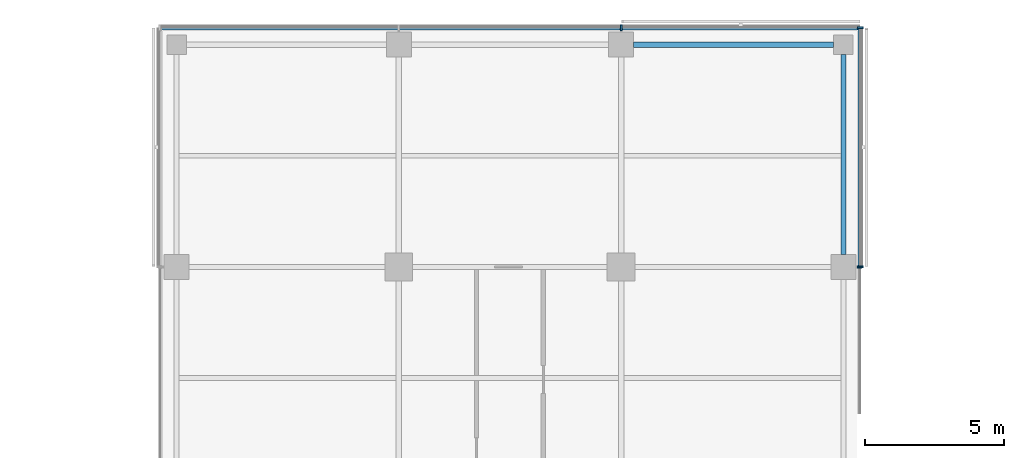
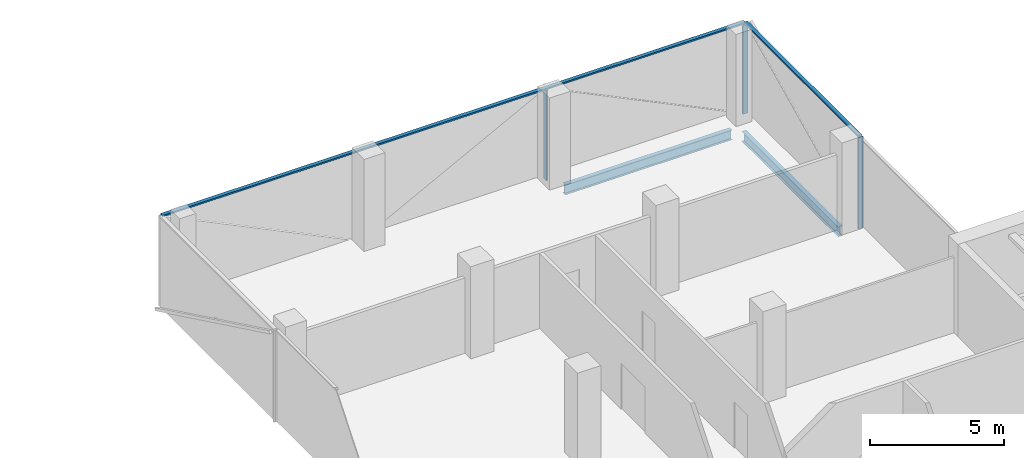
# One storey, part 10 of 22: 6 members, 2 beams, 3 elements without a shape of their own.
"""IFC4 building model written with IfcOpenShell, lengths in metres."""

from ifc_helpers import new_model, si_unit, direction, frame, origin, origin_2d, place, context, subcontext, project, spatial, rectangle, i_section, extrude, material, material_profile, profile_set, type_object, element, aggregate, save


model = new_model("IFC4")

# Units and contexts
model_context = context("Model", 3, precision=1e-05, world=origin(), true_north=direction((0.0, 1.0)))
body_context = subcontext(model_context, "Body", "Model", "MODEL_VIEW")
ifc_project = project(units=[si_unit("LENGTHUNIT", "METRE"), si_unit("AREAUNIT", "SQUARE_METRE"), si_unit("VOLUMEUNIT", "CUBIC_METRE"), si_unit("PLANEANGLEUNIT", "RADIAN"), si_unit("MASSUNIT", "GRAM", prefix="KILO")], contexts=[model_context])

# Site, building, storey
site_placement = place(None, origin())
site = spatial("IfcSite", under=ifc_project, at=site_placement, CompositionType="ELEMENT")
building_placement = place(site_placement, origin())
building = spatial("IfcBuilding", under=site, at=building_placement, Name="Crosswind Convention Tower", CompositionType="ELEMENT")
storey_placement = place(building_placement, frame((0.0, 0.0, 150.5)))
storey = spatial("IfcBuildingStorey", under=building, at=storey_placement, Name="L31", CompositionType="ELEMENT", Elevation=150.5)

# Beams
ifc_material_1 = material(Name="Steel S355", Category="steel")
ifc_material_profile_1 = material_profile(ifc_material_1, i_section(OverallWidth=0.18994140625, OverallDepth=0.45361328125, WebThickness=0.008544921875, FlangeThickness=0.0126953125, FilletRadius=0.01025390625, at=origin_2d()), Name="UB 457x191x67")
ifc_profile_set_1 = profile_set([ifc_material_profile_1], Name="Steel S355")
beam_type = type_object("IfcBeamType", Name="Edge beam UB 457x191x67", PredefinedType="SPANDREL", material=ifc_profile_set_1)
for number, where, z_axis, x_axis, name in (
    (1, (129.449951171875, 128.0, -0.52685546875), (1.0, 0.0, 0.0), (0.0, 1.0, 0.0), "B16 L31 edge beam 15"),
    (2, (137.0, 120.449951171875, -0.52685546875), (0.0, 1.0, 0.0), (-1.0, 0.0, 0.0), "B16 L31 edge beam 19"),
):
    element("IfcBeam", number, at=place(storey_placement, frame(where, z_axis=z_axis, x_axis=x_axis)), inside=storey, type_object=beam_type, Name=name, PredefinedType="SPANDREL", context=body_context, shape_type="SweptSolid", body=[
        extrude(i_section(OverallWidth=0.18994140625, OverallDepth=0.45361328125, WebThickness=0.008544921875, FlangeThickness=0.0126953125, FilletRadius=0.01025390625, at=origin_2d()), origin(), (0.0, 0.0, 1.0), 7.199951171875),
    ])

# Curtain wall, member
ifc_material_2 = material(Name="Aluminium unitised curtain wall", Category="aluminium")
curtain_wall_type_1 = type_object("IfcCurtainWallType", Name="CORE END SLOT WALL 160", PredefinedType="USERDEFINED", material=ifc_material_2)
curtain_wall_1_placement = place(storey_placement, origin())
curtain_wall_1 = element("IfcCurtainWall", 3, at=curtain_wall_1_placement, inside=storey, type_object=curtain_wall_type_1, Name="CW6 L31 N-E.1-1 slot", ObjectType="UNITISED", PredefinedType="USERDEFINED")
ifc_material_3 = material(Name="Aluminium mullion", Category="aluminium")
ifc_material_profile_2 = material_profile(ifc_material_3, rectangle(XDim=0.159912109375, YDim=0.050048828125, at=origin_2d()), Name="AL 160X50")
ifc_profile_set_2 = profile_set([ifc_material_profile_2], Name="Aluminium mullion")
member_type_1 = type_object("IfcMemberType", Name="MULLION 50X160", PredefinedType="MULLION", material=ifc_profile_set_2)
member_1_placement = place(storey_placement, frame((137.580078125, 119.97509765625, -0.300048828125), z_axis=(0.0, 0.0, 1.0), x_axis=(1.0, 0.0, 0.0)))
member_1 = element("IfcMember", 4, at=member_1_placement, type_object=member_type_1, Name="CW6 mullion 2", PredefinedType="MULLION", context=body_context, shape_type="SweptSolid", body=[
    extrude(rectangle(XDim=0.159912109375, YDim=0.050048828125, at=origin_2d()), origin(), (0.0, 0.0, 1.0), 4.150146484375),
])
aggregate(curtain_wall_1, [member_1])

# Curtain wall, members
curtain_wall_type_2 = type_object("IfcCurtainWallType", Name="OFFICE UNITISED WALL 220", PredefinedType="USERDEFINED", material=ifc_material_2)
curtain_wall_2_placement = place(storey_placement, origin())
curtain_wall_2 = element("IfcCurtainWall", 5, at=curtain_wall_2_placement, inside=storey, type_object=curtain_wall_type_2, Name="CW3 L31 N-E 1", ObjectType="UNITISED", PredefinedType="USERDEFINED")
ifc_material_profile_3 = material_profile(ifc_material_3, rectangle(XDim=0.219970703125, YDim=0.070068359375, at=origin_2d()), Name="AL 220X70")
ifc_profile_set_3 = profile_set([ifc_material_profile_3], Name="Aluminium mullion")
member_type_2 = type_object("IfcMemberType", Name="MULLION 70X220", PredefinedType="MULLION", material=ifc_profile_set_3)
member_2_placement = place(storey_placement, frame((137.610107421875, 120.0, -0.300048828125), z_axis=(0.0, 0.0, 1.0), x_axis=(1.0, 0.0, 0.0)))
member_2 = element("IfcMember", 6, at=member_2_placement, type_object=member_type_2, Name="CW3 mullion 1", PredefinedType="MULLION", context=body_context, shape_type="SweptSolid", body=[
    extrude(rectangle(XDim=0.219970703125, YDim=0.070068359375, at=origin_2d()), origin(), (0.0, 0.0, 1.0), 4.130126953125),
])
member_3_placement = place(storey_placement, frame((137.610107421875, 128.610107421875, -0.300048828125), z_axis=(0.0, 0.0, 1.0), x_axis=(1.0, 0.0, 0.0)))
member_3 = element("IfcMember", 7, at=member_3_placement, type_object=member_type_2, Name="CW3 mullion 2", PredefinedType="MULLION", context=body_context, shape_type="SweptSolid", body=[
    extrude(rectangle(XDim=0.219970703125, YDim=0.070068359375, at=origin_2d()), origin(), (0.0, 0.0, 1.0), 4.130126953125),
])

# Curtain wall, member
curtain_wall_3_placement = place(storey_placement, origin())
curtain_wall_3 = element("IfcCurtainWall", 8, at=curtain_wall_3_placement, inside=storey, type_object=curtain_wall_type_2, Name="CW3 L31 N-TIP 1", ObjectType="UNITISED", PredefinedType="USERDEFINED")
member_4_placement = place(storey_placement, frame((129.0, 128.610107421875, -0.300048828125), z_axis=(0.0, 0.0, 1.0), x_axis=(0.0, 1.0, 0.0)))
member_4 = element("IfcMember", 9, at=member_4_placement, type_object=member_type_2, Name="CW3 mullion 2", PredefinedType="MULLION", context=body_context, shape_type="SweptSolid", body=[
    extrude(rectangle(XDim=0.219970703125, YDim=0.070068359375, at=origin_2d()), origin(), (0.0, 0.0, 1.0), 4.130126953125),
])

# Member
ifc_material_4 = material(Name="Aluminium transom", Category="aluminium")
ifc_material_profile_4 = material_profile(ifc_material_4, rectangle(XDim=0.159912109375, YDim=0.070068359375, at=origin_2d()), Name="AL 160X70")
ifc_profile_set_4 = profile_set([ifc_material_profile_4], Name="Aluminium transom")
member_type_3 = type_object("IfcMemberType", Name="TRANSOM 70X160", PredefinedType="USERDEFINED", material=ifc_profile_set_4)
member_5_placement = place(storey_placement, frame((137.610107421875, 120.034912109375, 3.864990234375), z_axis=(0.0, 1.0, 0.0), x_axis=(-1.0, 0.0, 0.0)))
member_5 = element("IfcMember", 10, at=member_5_placement, type_object=member_type_3, Name="CW3 transom", ObjectType="TRANSOM", PredefinedType="USERDEFINED", context=body_context, shape_type="SweptSolid", body=[
    extrude(rectangle(XDim=0.159912109375, YDim=0.070068359375, at=origin_2d()), origin(), (0.0, 0.0, 1.0), 8.5400390625),
])

aggregate(curtain_wall_2, [member_2, member_3, member_5])

member_6_placement = place(storey_placement, frame((137.574951171875, 128.610107421875, 3.864990234375), z_axis=(-1.0, 0.0, 0.0), x_axis=(0.0, -1.0, 0.0)))
member_6 = element("IfcMember", 11, at=member_6_placement, type_object=member_type_3, Name="CW3 transom", ObjectType="TRANSOM", PredefinedType="USERDEFINED", context=body_context, shape_type="SweptSolid", body=[
    extrude(rectangle(XDim=0.159912109375, YDim=0.070068359375, at=origin_2d()), origin(), (0.0, 0.0, 1.0), 25.14990234375),
])

aggregate(curtain_wall_3, [member_4, member_6])

save(model, "model.ifc")
